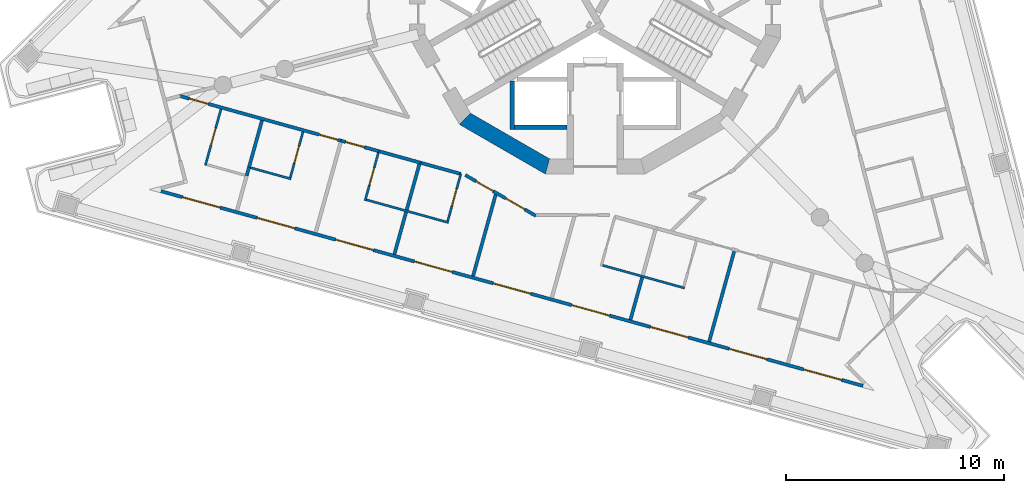
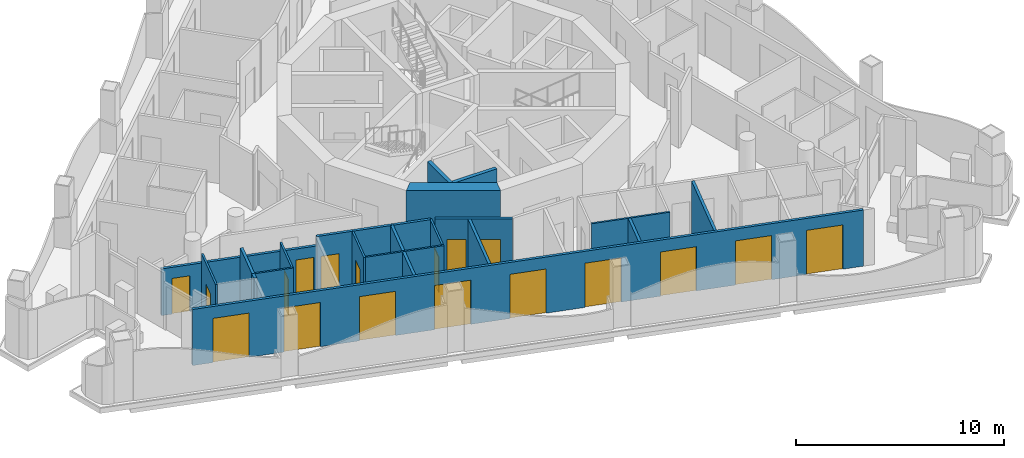
# One storey, part 2 of 15: 23 walls, 18 doors, 18 openings.
"""IFC4 building model written with IfcOpenShell, lengths in metres."""

from ifc_helpers import new_model, si_unit, direction, frame, frame_2d, origin, place, context, subcontext, project, spatial, polyline, rectangle, outline, extrude, material, layer, layer_set, type_object, element, fill, save


model = new_model("IFC4")

# Units and contexts
model_context = context("Model", 3, precision=1e-05, world=origin(), true_north=direction((0.0, 1.0)))
body_context = subcontext(model_context, "Body", "Model", "MODEL_VIEW")
ifc_project = project(units=[si_unit("LENGTHUNIT", "METRE"), si_unit("AREAUNIT", "SQUARE_METRE"), si_unit("VOLUMEUNIT", "CUBIC_METRE"), si_unit("PLANEANGLEUNIT", "RADIAN"), si_unit("MASSUNIT", "GRAM", prefix="KILO")], contexts=[model_context])

# Site, building, storey
site_placement = place(None, origin())
site = spatial("IfcSite", under=ifc_project, at=site_placement, CompositionType="ELEMENT")
building_placement = place(site_placement, origin())
building = spatial("IfcBuilding", under=site, at=building_placement, Name="Trine Commons Tower", CompositionType="ELEMENT")
storey_placement = place(building_placement, frame((0.0, 0.0, 256.5)))
storey = spatial("IfcBuildingStorey", under=building, at=storey_placement, Name="L67", CompositionType="ELEMENT", Elevation=256.5)

# Wall, openings, doors
ifc_material_1 = material(Name="Aluminium-framed insulated wall panel", Category="aluminium")
ifc_layer_1 = layer(ifc_material_1, 0.14990234375)
ifc_layer_set_1 = layer_set([ifc_layer_1], Name="Aluminium-framed insulated wall panel")
wall_type_1 = type_object("IfcWallType", Name="Glazed frame wall 150, EI 60", PredefinedType="SOLIDWALL", material=ifc_layer_set_1)
wall_1_placement = place(storey_placement, frame((92.4189453125, 44.2548828125, 0.0), z_axis=(0.0, 0.0, 1.0), x_axis=(-0.963630586427, 0.267237895708, 0.0)))
wall_1 = element("IfcWall", 1, at=wall_1_placement, inside=storey, type_object=wall_type_1, Name="Glazed frame wall F3", PredefinedType="SOLIDWALL", context=body_context, shape_type="SweptSolid", body=[
    extrude(outline(polyline([(0.1494140625, 0.074951171875), (0.1494140625, -0.074951171875), (33.536865234375, -0.074951171875), (33.536865234375, 0.074951171875), (0.1494140625, 0.074951171875)])), origin(), (0.0, 0.0, 1.0), 3.300048828125),
])
opening_1_placement = place(wall_1_placement, frame((1.17138671875, 0.0, 0.0)))
opening_1 = element("IfcOpeningElement", 2, at=opening_1_placement, cuts=wall_1, Name="Opening BD-7F3-01", PredefinedType="OPENING", context=body_context, shape_type="SweptSolid", body=[
    extrude(rectangle(XDim=1.800048828125, YDim=2.60009765625, at=frame_2d((0.89990234375, 1.300048828125))), frame((0.0, 0.0849609375, 0.0), z_axis=(0.0, -1.0, 0.0), x_axis=(1.0, 0.0, 0.0)), (0.0, 0.0, 1.0), 0.169921875),
])
opening_2_placement = place(wall_1_placement, frame((4.71435546875, 0.0, 0.0)))
opening_2 = element("IfcOpeningElement", 3, at=opening_2_placement, cuts=wall_1, Name="Opening BD-7F3-02", PredefinedType="OPENING", context=body_context, shape_type="SweptSolid", body=[
    extrude(rectangle(XDim=1.800048828125, YDim=2.60009765625, at=frame_2d((0.89990234375, 1.300048828125))), frame((0.0, 0.0849609375, 0.0), z_axis=(0.0, -1.0, 0.0), x_axis=(1.0, 0.0, 0.0)), (0.0, 0.0, 1.0), 0.169921875),
])
opening_3_placement = place(wall_1_placement, frame((8.457275390625, 0.0, 0.0)))
opening_3 = element("IfcOpeningElement", 4, at=opening_3_placement, cuts=wall_1, Name="Opening BD-7F3-03", PredefinedType="OPENING", context=body_context, shape_type="SweptSolid", body=[
    extrude(rectangle(XDim=1.800048828125, YDim=2.60009765625, at=frame_2d((0.89990234375, 1.300048828125))), frame((0.0, 0.0849609375, 0.0), z_axis=(0.0, -1.0, 0.0), x_axis=(1.0, 0.0, 0.0)), (0.0, 0.0, 1.0), 0.169921875),
])
opening_4_placement = place(wall_1_placement, frame((12.2001953125, 0.0, 0.0)))
opening_4 = element("IfcOpeningElement", 5, at=opening_4_placement, cuts=wall_1, Name="Opening BD-7F3-04", PredefinedType="OPENING", context=body_context, shape_type="SweptSolid", body=[
    extrude(rectangle(XDim=1.800048828125, YDim=2.60009765625, at=frame_2d((0.89990234375, 1.300048828125))), frame((0.0, 0.0849609375, 0.0), z_axis=(0.0, -1.0, 0.0), x_axis=(1.0, 0.0, 0.0)), (0.0, 0.0, 1.0), 0.169921875),
])
opening_5_placement = place(wall_1_placement, frame((15.943115234375, 0.0, 0.0)))
opening_5 = element("IfcOpeningElement", 6, at=opening_5_placement, cuts=wall_1, Name="Opening BD-7F3-05", PredefinedType="OPENING", context=body_context, shape_type="SweptSolid", body=[
    extrude(rectangle(XDim=1.800048828125, YDim=2.60009765625, at=frame_2d((0.89990234375, 1.300048828125))), frame((0.0, 0.0849609375, 0.0), z_axis=(0.0, -1.0, 0.0), x_axis=(1.0, 0.0, 0.0)), (0.0, 0.0, 1.0), 0.169921875),
])
opening_6_placement = place(wall_1_placement, frame((19.68603515625, 0.0, 0.0)))
opening_6 = element("IfcOpeningElement", 7, at=opening_6_placement, cuts=wall_1, Name="Opening BD-7F3-06", PredefinedType="OPENING", context=body_context, shape_type="SweptSolid", body=[
    extrude(rectangle(XDim=1.800048828125, YDim=2.60009765625, at=frame_2d((0.89990234375, 1.300048828125))), frame((0.0, 0.0849609375, 0.0), z_axis=(0.0, -1.0, 0.0), x_axis=(1.0, 0.0, 0.0)), (0.0, 0.0, 1.0), 0.169921875),
])
opening_7_placement = place(wall_1_placement, frame((23.428955078125, 0.0, 0.0)))
opening_7 = element("IfcOpeningElement", 8, at=opening_7_placement, cuts=wall_1, Name="Opening BD-7F3-07", PredefinedType="OPENING", context=body_context, shape_type="SweptSolid", body=[
    extrude(rectangle(XDim=1.800048828125, YDim=2.60009765625, at=frame_2d((0.89990234375, 1.300048828125))), frame((0.0, 0.0849609375, 0.0), z_axis=(0.0, -1.0, 0.0), x_axis=(1.0, 0.0, 0.0)), (0.0, 0.0, 1.0), 0.169921875),
])
opening_8_placement = place(wall_1_placement, frame((27.171875, 0.0, 0.0)))
opening_8 = element("IfcOpeningElement", 9, at=opening_8_placement, cuts=wall_1, Name="Opening BD-7F3-08", PredefinedType="OPENING", context=body_context, shape_type="SweptSolid", body=[
    extrude(rectangle(XDim=1.800048828125, YDim=2.60009765625, at=frame_2d((0.89990234375, 1.300048828125))), frame((0.0, 0.0849609375, 0.0), z_axis=(0.0, -1.0, 0.0), x_axis=(1.0, 0.0, 0.0)), (0.0, 0.0, 1.0), 0.169921875),
])
opening_9_placement = place(wall_1_placement, frame((30.714599609375, 0.0, 0.0)))
opening_9 = element("IfcOpeningElement", 10, at=opening_9_placement, cuts=wall_1, Name="Opening BD-7F3-09", PredefinedType="OPENING", context=body_context, shape_type="SweptSolid", body=[
    extrude(rectangle(XDim=1.800048828125, YDim=2.60009765625, at=frame_2d((0.89990234375, 1.300048828125))), frame((0.0, 0.0849609375, 0.0), z_axis=(0.0, -1.0, 0.0), x_axis=(1.0, 0.0, 0.0)), (0.0, 0.0, 1.0), 0.169921875),
])
ifc_material_2 = material(Name="Anodised aluminium frame with double glazing", Category="aluminium")
door_type_1 = type_object("IfcDoorType", Name="Sliding loggia door 1800x2600", OperationType="SLIDING_TO_LEFT", PredefinedType="DOOR", material=ifc_material_2)
door_1_placement = place(opening_1_placement, origin())
door_1 = element("IfcDoor", 11, at=door_1_placement, inside=storey, type_object=door_type_1, Name="Loggia door F3 1", OperationType="SLIDING_TO_LEFT", OverallHeight=2.60009765625, OverallWidth=1.800048828125, PredefinedType="DOOR", context=body_context, shape_type="SweptSolid", body=[
    extrude(rectangle(XDim=1.800048828125, YDim=2.60009765625, at=frame_2d((0.89990234375, 1.300048828125))), frame((0.0, 0.02490234375, 0.0), z_axis=(0.0, -1.0, 0.0), x_axis=(1.0, 0.0, 0.0)), (0.0, 0.0, 1.0), 0.050048828125),
])
fill(opening_1, door_1)
door_2_placement = place(opening_2_placement, origin())
door_2 = element("IfcDoor", 12, at=door_2_placement, inside=storey, type_object=door_type_1, Name="Loggia door F3 2", OperationType="SLIDING_TO_LEFT", OverallHeight=2.60009765625, OverallWidth=1.800048828125, PredefinedType="DOOR", context=body_context, shape_type="SweptSolid", body=[
    extrude(rectangle(XDim=1.800048828125, YDim=2.60009765625, at=frame_2d((0.89990234375, 1.300048828125))), frame((0.0, 0.02490234375, 0.0), z_axis=(0.0, -1.0, 0.0), x_axis=(1.0, 0.0, 0.0)), (0.0, 0.0, 1.0), 0.050048828125),
])
fill(opening_2, door_2)
door_3_placement = place(opening_3_placement, origin())
door_3 = element("IfcDoor", 13, at=door_3_placement, inside=storey, type_object=door_type_1, Name="Loggia door F3 3", OperationType="SLIDING_TO_LEFT", OverallHeight=2.60009765625, OverallWidth=1.800048828125, PredefinedType="DOOR", context=body_context, shape_type="SweptSolid", body=[
    extrude(rectangle(XDim=1.800048828125, YDim=2.60009765625, at=frame_2d((0.89990234375, 1.300048828125))), frame((0.0, 0.02490234375, 0.0), z_axis=(0.0, -1.0, 0.0), x_axis=(1.0, 0.0, 0.0)), (0.0, 0.0, 1.0), 0.050048828125),
])
fill(opening_3, door_3)
door_4_placement = place(opening_4_placement, origin())
door_4 = element("IfcDoor", 14, at=door_4_placement, inside=storey, type_object=door_type_1, Name="Loggia door F3 4", OperationType="SLIDING_TO_LEFT", OverallHeight=2.60009765625, OverallWidth=1.800048828125, PredefinedType="DOOR", context=body_context, shape_type="SweptSolid", body=[
    extrude(rectangle(XDim=1.800048828125, YDim=2.60009765625, at=frame_2d((0.89990234375, 1.300048828125))), frame((0.0, 0.02490234375, 0.0), z_axis=(0.0, -1.0, 0.0), x_axis=(1.0, 0.0, 0.0)), (0.0, 0.0, 1.0), 0.050048828125),
])
fill(opening_4, door_4)
door_5_placement = place(opening_5_placement, origin())
door_5 = element("IfcDoor", 15, at=door_5_placement, inside=storey, type_object=door_type_1, Name="Loggia door F3 5", OperationType="SLIDING_TO_LEFT", OverallHeight=2.60009765625, OverallWidth=1.800048828125, PredefinedType="DOOR", context=body_context, shape_type="SweptSolid", body=[
    extrude(rectangle(XDim=1.800048828125, YDim=2.60009765625, at=frame_2d((0.89990234375, 1.300048828125))), frame((0.0, 0.02490234375, 0.0), z_axis=(0.0, -1.0, 0.0), x_axis=(1.0, 0.0, 0.0)), (0.0, 0.0, 1.0), 0.050048828125),
])
fill(opening_5, door_5)
door_6_placement = place(opening_6_placement, origin())
door_6 = element("IfcDoor", 16, at=door_6_placement, inside=storey, type_object=door_type_1, Name="Loggia door F3 6", OperationType="SLIDING_TO_LEFT", OverallHeight=2.60009765625, OverallWidth=1.800048828125, PredefinedType="DOOR", context=body_context, shape_type="SweptSolid", body=[
    extrude(rectangle(XDim=1.800048828125, YDim=2.60009765625, at=frame_2d((0.89990234375, 1.300048828125))), frame((0.0, 0.02490234375, 0.0), z_axis=(0.0, -1.0, 0.0), x_axis=(1.0, 0.0, 0.0)), (0.0, 0.0, 1.0), 0.050048828125),
])
fill(opening_6, door_6)
door_7_placement = place(opening_7_placement, origin())
door_7 = element("IfcDoor", 17, at=door_7_placement, inside=storey, type_object=door_type_1, Name="Loggia door F3 7", OperationType="SLIDING_TO_LEFT", OverallHeight=2.60009765625, OverallWidth=1.800048828125, PredefinedType="DOOR", context=body_context, shape_type="SweptSolid", body=[
    extrude(rectangle(XDim=1.800048828125, YDim=2.60009765625, at=frame_2d((0.89990234375, 1.300048828125))), frame((0.0, 0.02490234375, 0.0), z_axis=(0.0, -1.0, 0.0), x_axis=(1.0, 0.0, 0.0)), (0.0, 0.0, 1.0), 0.050048828125),
])
fill(opening_7, door_7)
door_8_placement = place(opening_8_placement, origin())
door_8 = element("IfcDoor", 18, at=door_8_placement, inside=storey, type_object=door_type_1, Name="Loggia door F3 8", OperationType="SLIDING_TO_LEFT", OverallHeight=2.60009765625, OverallWidth=1.800048828125, PredefinedType="DOOR", context=body_context, shape_type="SweptSolid", body=[
    extrude(rectangle(XDim=1.800048828125, YDim=2.60009765625, at=frame_2d((0.89990234375, 1.300048828125))), frame((0.0, 0.02490234375, 0.0), z_axis=(0.0, -1.0, 0.0), x_axis=(1.0, 0.0, 0.0)), (0.0, 0.0, 1.0), 0.050048828125),
])
fill(opening_8, door_8)
door_9_placement = place(opening_9_placement, origin())
door_9 = element("IfcDoor", 19, at=door_9_placement, inside=storey, type_object=door_type_1, Name="Loggia door F3 9", OperationType="SLIDING_TO_LEFT", OverallHeight=2.60009765625, OverallWidth=1.800048828125, PredefinedType="DOOR", context=body_context, shape_type="SweptSolid", body=[
    extrude(rectangle(XDim=1.800048828125, YDim=2.60009765625, at=frame_2d((0.89990234375, 1.300048828125))), frame((0.0, 0.02490234375, 0.0), z_axis=(0.0, -1.0, 0.0), x_axis=(1.0, 0.0, 0.0)), (0.0, 0.0, 1.0), 0.050048828125),
])
fill(opening_9, door_9)

# Walls
ifc_material_3 = material(Name="Concrete C50/60", Category="concrete")
ifc_layer_2 = layer(ifc_material_3, 0.699951171875)
ifc_layer_set_2 = layer_set([ifc_layer_2], Name="Concrete C50/60")
wall_type_2 = type_object("IfcWallType", Name="RC shear wall 700 mm, C50/60", PredefinedType="SHEAR", material=ifc_layer_set_2)
wall_2_placement = place(storey_placement, frame((73.952392578125, 56.58056640625, 0.0), z_axis=(0.0, 0.0, 1.0), x_axis=(0.866034756103, -0.499983800959, 0.0)))
element("IfcWall", 20, at=wall_2_placement, inside=storey, type_object=wall_type_2, Name="Core wall CWG-09 L67", PredefinedType="SHEAR", context=body_context, shape_type="SweptSolid", body=[
    extrude(outline(polyline([(0.0, -0.35009765625), (4.55517578125, -0.35009765625), (4.36767578125, 0.35009765625), (0.1875, 0.35009765625), (0.0, -0.35009765625)])), origin(), (0.0, 0.0, 1.0), 3.60009765625),
])
ifc_material_4 = material(Name="Fire-rated gypsum shaft wall system")
ifc_layer_3 = layer(ifc_material_4, 0.199951171875)
ifc_layer_set_3 = layer_set([ifc_layer_3], Name="Fire-rated gypsum shaft wall system")
wall_type_3 = type_object("IfcWallType", Name="Shaft wall 200 mm, EI 120", PredefinedType="PARTITIONING", material=ifc_layer_set_3)
wall_3_placement = place(storey_placement, frame((76.199951171875, 58.257080078125, 0.0), z_axis=(0.0, 0.0, 1.0), x_axis=(0.0, -1.0, 0.0)))
element("IfcWall", 21, at=wall_3_placement, inside=storey, type_object=wall_type_3, Name="Shaft wall L67", PredefinedType="PARTITIONING", context=body_context, shape_type="SweptSolid", body=[
    extrude(rectangle(XDim=2.20703125, YDim=0.199951171875, at=frame_2d((1.103515625, 0.0))), origin(), (0.0, 0.0, 1.0), 3.300048828125),
])
wall_4_placement = place(storey_placement, frame((78.699951171875, 56.14990234375, 0.0), z_axis=(0.0, 0.0, 1.0), x_axis=(-1.0, 0.0, 0.0)))
element("IfcWall", 22, at=wall_4_placement, inside=storey, type_object=wall_type_3, Name="Shaft wall L67", PredefinedType="PARTITIONING", context=body_context, shape_type="SweptSolid", body=[
    extrude(rectangle(XDim=2.39990234375, YDim=0.199951171875, at=frame_2d((1.199951171875, 0.0))), origin(), (0.0, 0.0, 1.0), 3.300048828125),
])

# Wall, openings, doors
ifc_material_5 = material(Name="Gypsum plasterboard on steel stud", Category="steel")
ifc_layer_4 = layer(ifc_material_5, 0.14990234375)
ifc_layer_set_4 = layer_set([ifc_layer_4], Name="Gypsum plasterboard on steel stud")
wall_type_4 = type_object("IfcWallType", Name="Unit and corridor wall 150 mm, EI 60", PredefinedType="PARTITIONING", material=ifc_layer_set_4)
wall_5_placement = place(storey_placement, frame((60.898681640625, 57.59912109375, 0.0), z_axis=(0.0, 0.0, 1.0), x_axis=(0.963644845576, -0.267186473449, 0.0)))
wall_5 = element("IfcWall", 23, at=wall_5_placement, inside=storey, type_object=wall_type_4, Name="Partition 003", PredefinedType="PARTITIONING", context=body_context, shape_type="SweptSolid", body=[
    extrude(rectangle(XDim=7.81884765625, YDim=0.14990234375, at=frame_2d((3.909423828125, 0.0))), origin(), (0.0, 0.0, 1.0), 2.75),
])
opening_10_placement = place(wall_5_placement, frame((6.68994140625, 0.0, 0.0)))
opening_10 = element("IfcOpeningElement", 24, at=opening_10_placement, cuts=wall_5, Name="Opening D-7C25", PredefinedType="OPENING", context=body_context, shape_type="SweptSolid", body=[
    extrude(rectangle(XDim=0.89990234375, YDim=2.10009765625, at=frame_2d((0.449951171875, 1.050048828125))), frame((0.0, 0.0849609375, 0.0), z_axis=(0.0, -1.0, 0.0), x_axis=(1.0, 0.0, 0.0)), (0.0, 0.0, 1.0), 0.169921875),
])
opening_11_placement = place(wall_5_placement, frame((0.52294921875, 0.0, 0.0)))
opening_11 = element("IfcOpeningElement", 25, at=opening_11_placement, cuts=wall_5, Name="Opening D-7C26", PredefinedType="OPENING", context=body_context, shape_type="SweptSolid", body=[
    extrude(rectangle(XDim=0.89990234375, YDim=2.10009765625, at=frame_2d((0.449951171875, 1.050048828125))), frame((0.0, 0.0849609375, 0.0), z_axis=(0.0, -1.0, 0.0), x_axis=(1.0, 0.0, 0.0)), (0.0, 0.0, 1.0), 0.169921875),
])
ifc_material_6 = material(Name="Timber fire door set", Category="wood")
door_type_2 = type_object("IfcDoorType", Name="Bedroom door 900 x 2100, FD30S", OperationType="NOTDEFINED", PredefinedType="DOOR", material=ifc_material_6)
door_10_placement = place(opening_10_placement, frame((0.89990234375, 0.0, 0.0), z_axis=(0.0, 0.0, 1.0), x_axis=(-1.0, 0.0, 0.0)))
door_10 = element("IfcDoor", 26, at=door_10_placement, inside=storey, type_object=door_type_2, Name="Door D-7C25", OperationType="SINGLE_SWING_LEFT", OverallHeight=2.10009765625, OverallWidth=0.89990234375, PredefinedType="DOOR", context=body_context, shape_type="SweptSolid", body=[
    extrude(rectangle(XDim=0.89990234375, YDim=2.10009765625, at=frame_2d((0.449951171875, 1.050048828125))), frame((0.0, 0.02490234375, 0.0), z_axis=(0.0, -1.0, 0.0), x_axis=(1.0, 0.0, 0.0)), (0.0, 0.0, 1.0), 0.050048828125),
])
fill(opening_10, door_10)
door_11_placement = place(opening_11_placement, frame((0.89990234375, 0.0, 0.0), z_axis=(0.0, 0.0, 1.0), x_axis=(-1.0, 0.0, 0.0)))
door_11 = element("IfcDoor", 27, at=door_11_placement, inside=storey, type_object=door_type_2, Name="Door D-7C26", OperationType="SINGLE_SWING_RIGHT", OverallHeight=2.10009765625, OverallWidth=0.89990234375, PredefinedType="DOOR", context=body_context, shape_type="SweptSolid", body=[
    extrude(rectangle(XDim=0.89990234375, YDim=2.10009765625, at=frame_2d((0.449951171875, 1.050048828125))), frame((0.0, 0.02490234375, 0.0), z_axis=(0.0, -1.0, 0.0), x_axis=(1.0, 0.0, 0.0)), (0.0, 0.0, 1.0), 0.050048828125),
])
fill(opening_11, door_11)

# Walls
wall_6_placement = place(storey_placement, frame((64.027099609375, 53.925048828125, 0.0), z_axis=(0.0, 0.0, 1.0), x_axis=(0.267363070761, 0.963595863624, 0.0)))
element("IfcWall", 28, at=wall_6_placement, inside=storey, type_object=wall_type_4, Name="Partition 012", PredefinedType="PARTITIONING", context=body_context, shape_type="SweptSolid", body=[
    extrude(rectangle(XDim=0.403564453125, YDim=0.14990234375, at=frame_2d((0.20166015625, 0.0))), origin(), (0.0, 0.0, 1.0), 3.300048828125),
])
wall_7_placement = place(storey_placement, frame((64.135009765625, 54.31396484375, 0.0), z_axis=(0.0, 0.0, 1.0), x_axis=(0.267310068827, 0.963610568178, 0.0)))
element("IfcWall", 29, at=wall_7_placement, inside=storey, type_object=wall_type_4, Name="Partition 013", PredefinedType="PARTITIONING", context=body_context, shape_type="SweptSolid", body=[
    extrude(rectangle(XDim=2.225830078125, YDim=0.14990234375, at=frame_2d((1.11279296875, 0.0))), origin(), (0.0, 0.0, 1.0), 3.300048828125),
])

# Wall, opening, door
wall_8_placement = place(storey_placement, frame((68.35302734375, 55.531005859375, 0.0), z_axis=(0.0, 0.0, 1.0), x_axis=(0.963793322965, -0.266650390226, 0.0)))
wall_8 = element("IfcWall", 30, at=wall_8_placement, inside=storey, type_object=wall_type_4, Name="Partition 021", PredefinedType="PARTITIONING", context=body_context, shape_type="SweptSolid", body=[
    extrude(rectangle(XDim=1.800048828125, YDim=0.14990234375, at=frame_2d((0.89990234375, 0.0))), origin(), (0.0, 0.0, 1.0), 3.300048828125),
])
opening_12_placement = place(wall_8_placement, frame((0.21337890625, 0.0, 0.0)))
opening_12 = element("IfcOpeningElement", 31, at=opening_12_placement, cuts=wall_8, Name="Opening D-7C24", PredefinedType="OPENING", context=body_context, shape_type="SweptSolid", body=[
    extrude(rectangle(XDim=0.89990234375, YDim=2.10009765625, at=frame_2d((0.449951171875, 1.050048828125))), frame((0.0, 0.0849609375, 0.0), z_axis=(0.0, -1.0, 0.0), x_axis=(1.0, 0.0, 0.0)), (0.0, 0.0, 1.0), 0.169921875),
])
door_12_placement = place(opening_12_placement, frame((0.89990234375, 0.0, 0.0), z_axis=(0.0, 0.0, 1.0), x_axis=(-1.0, 0.0, 0.0)))
door_12 = element("IfcDoor", 32, at=door_12_placement, inside=storey, type_object=door_type_2, Name="Door D-7C24", OperationType="SINGLE_SWING_RIGHT", OverallHeight=2.10009765625, OverallWidth=0.89990234375, PredefinedType="DOOR", context=body_context, shape_type="SweptSolid", body=[
    extrude(rectangle(XDim=0.89990234375, YDim=2.10009765625, at=frame_2d((0.449951171875, 1.050048828125))), frame((0.0, 0.02490234375, 0.0), z_axis=(0.0, -1.0, 0.0), x_axis=(1.0, 0.0, 0.0)), (0.0, 0.0, 1.0), 0.050048828125),
])
fill(opening_12, door_12)

# Walls
wall_9_placement = place(storey_placement, frame((70.03173828125, 55.065185546875, 0.0), z_axis=(0.0, 0.0, 1.0), x_axis=(0.963738676237, -0.266847829154, 0.0)))
element("IfcWall", 33, at=wall_9_placement, inside=storey, type_object=wall_type_4, Name="Partition 034", PredefinedType="PARTITIONING", context=body_context, shape_type="SweptSolid", body=[
    extrude(rectangle(XDim=2.009033203125, YDim=0.14990234375, at=frame_2d((1.00439453125, 0.0))), origin(), (0.0, 0.0, 1.0), 3.300048828125),
])
wall_10_placement = place(storey_placement, frame((70.798583984375, 50.32861328125, 0.0), z_axis=(0.0, 0.0, 1.0), x_axis=(0.267174067725, 0.963648285182, 0.0)))
element("IfcWall", 34, at=wall_10_placement, inside=storey, type_object=wall_type_4, Name="Partition 036", PredefinedType="PARTITIONING", context=body_context, shape_type="SweptSolid", body=[
    extrude(rectangle(XDim=2.01025390625, YDim=0.14990234375, at=frame_2d((1.005126953125, 0.0))), origin(), (0.0, 0.0, 1.0), 3.300048828125),
])
wall_11_placement = place(storey_placement, frame((71.3623046875, 52.3623046875, 0.0), z_axis=(0.0, 0.0, 1.0), x_axis=(0.267486781111, 0.963561529914, 0.0)))
element("IfcWall", 35, at=wall_11_placement, inside=storey, type_object=wall_type_4, Name="Partition 038", PredefinedType="PARTITIONING", context=body_context, shape_type="SweptSolid", body=[
    extrude(rectangle(XDim=2.32470703125, YDim=0.14990234375, at=frame_2d((1.162353515625, 0.0))), origin(), (0.0, 0.0, 1.0), 3.300048828125),
])
wall_12_placement = place(storey_placement, frame((72.0322265625, 54.510986328125, 0.0), z_axis=(0.0, 0.0, 1.0), x_axis=(0.963675623127, -0.267075445129, 0.0)))
element("IfcWall", 36, at=wall_12_placement, inside=storey, type_object=wall_type_4, Name="Partition 041", PredefinedType="PARTITIONING", context=body_context, shape_type="SweptSolid", body=[
    extrude(rectangle(XDim=1.883056640625, YDim=0.14990234375, at=frame_2d((0.94140625, 0.0))), origin(), (0.0, 0.0, 1.0), 3.300048828125),
])

# Wall, openings, doors
wall_13_placement = place(storey_placement, frame((74.049072265625, 53.9560546875, 0.0), z_axis=(0.0, 0.0, 1.0), x_axis=(0.865974487503, -0.500088179218, 0.0)))
wall_13 = element("IfcWall", 37, at=wall_13_placement, inside=storey, type_object=wall_type_4, Name="Partition 045", PredefinedType="PARTITIONING", context=body_context, shape_type="SweptSolid", body=[
    extrude(rectangle(XDim=3.736572265625, YDim=0.14990234375, at=frame_2d((1.8681640625, 0.0))), origin(), (0.0, 0.0, 1.0), 3.300048828125),
])
opening_13_placement = place(wall_13_placement, frame((2.146728515625, 0.0, 0.0)))
opening_13 = element("IfcOpeningElement", 38, at=opening_13_placement, cuts=wall_13, Name="Opening D-7C22", PredefinedType="OPENING", context=body_context, shape_type="SweptSolid", body=[
    extrude(rectangle(XDim=1.0, YDim=2.10009765625, at=frame_2d((0.5, 1.050048828125))), frame((0.0, 0.0849609375, 0.0), z_axis=(0.0, -1.0, 0.0), x_axis=(1.0, 0.0, 0.0)), (0.0, 0.0, 1.0), 0.169921875),
])
opening_14_placement = place(wall_13_placement, frame((0.581787109375, 0.0, 0.0)))
opening_14 = element("IfcOpeningElement", 39, at=opening_14_placement, cuts=wall_13, Name="Opening D-7C23", PredefinedType="OPENING", context=body_context, shape_type="SweptSolid", body=[
    extrude(rectangle(XDim=0.89990234375, YDim=2.10009765625, at=frame_2d((0.449951171875, 1.050048828125))), frame((0.0, 0.0849609375, 0.0), z_axis=(0.0, -1.0, 0.0), x_axis=(1.0, 0.0, 0.0)), (0.0, 0.0, 1.0), 0.169921875),
])
door_13_placement = place(opening_14_placement, frame((0.89990234375, 0.0, 0.0), z_axis=(0.0, 0.0, 1.0), x_axis=(-1.0, 0.0, 0.0)))
door_13 = element("IfcDoor", 40, at=door_13_placement, inside=storey, type_object=door_type_2, Name="Door D-7C23", OperationType="SINGLE_SWING_RIGHT", OverallHeight=2.10009765625, OverallWidth=0.89990234375, PredefinedType="DOOR", context=body_context, shape_type="SweptSolid", body=[
    extrude(rectangle(XDim=0.89990234375, YDim=2.10009765625, at=frame_2d((0.449951171875, 1.050048828125))), frame((0.0, 0.02490234375, 0.0), z_axis=(0.0, -1.0, 0.0), x_axis=(1.0, 0.0, 0.0)), (0.0, 0.0, 1.0), 0.050048828125),
])
fill(opening_14, door_13)
ifc_material_7 = material(Name="Painted timber", Category="wood")
door_type_3 = type_object("IfcDoorType", Name="Toilet door 1000 x 2100, NOT RATED", OperationType="NOTDEFINED", PredefinedType="DOOR", material=ifc_material_7)
door_14_placement = place(opening_13_placement, frame((1.0, 0.0, 0.0), z_axis=(0.0, 0.0, 1.0), x_axis=(-1.0, 0.0, 0.0)))
door_14 = element("IfcDoor", 41, at=door_14_placement, inside=storey, type_object=door_type_3, Name="Door D-7C22", OperationType="SINGLE_SWING_LEFT", OverallHeight=2.10009765625, OverallWidth=1.0, PredefinedType="DOOR", context=body_context, shape_type="SweptSolid", body=[
    extrude(rectangle(XDim=1.0, YDim=2.10009765625, at=frame_2d((0.5, 1.050048828125))), frame((0.0, 0.02490234375, 0.0), z_axis=(0.0, -1.0, 0.0), x_axis=(1.0, 0.0, 0.0)), (0.0, 0.0, 1.0), 0.050048828125),
])
fill(opening_13, door_14)

# Walls
wall_14_placement = place(storey_placement, frame((74.40478515625, 49.32861328125, 0.0), z_axis=(0.0, 0.0, 1.0), x_axis=(0.2672836333, 0.963617901126, 0.0)))
element("IfcWall", 42, at=wall_14_placement, inside=storey, type_object=wall_type_4, Name="Partition 047", PredefinedType="PARTITIONING", context=body_context, shape_type="SweptSolid", body=[
    extrude(rectangle(XDim=3.880126953125, YDim=0.14990234375, at=frame_2d((1.93994140625, 0.0))), origin(), (0.0, 0.0, 1.0), 3.300048828125),
])
wall_15_placement = place(storey_placement, frame((81.61865234375, 47.327392578125, 0.0), z_axis=(0.0, 0.0, 1.0), x_axis=(0.267030036117, 0.963688206741, 0.0)))
element("IfcWall", 43, at=wall_15_placement, inside=storey, type_object=wall_type_4, Name="Partition 062", PredefinedType="PARTITIONING", context=body_context, shape_type="SweptSolid", body=[
    extrude(rectangle(XDim=2.010498046875, YDim=0.14990234375, at=frame_2d((1.00537109375, 0.0))), origin(), (0.0, 0.0, 1.0), 3.300048828125),
])
wall_16_placement = place(storey_placement, frame((85.2255859375, 46.327392578125, 0.0), z_axis=(0.0, 0.0, 1.0), x_axis=(0.267308876537, 0.963610898924, 0.0)))
element("IfcWall", 44, at=wall_16_placement, inside=storey, type_object=wall_type_4, Name="Partition 077", PredefinedType="PARTITIONING", context=body_context, shape_type="SweptSolid", body=[
    extrude(rectangle(XDim=4.285400390625, YDim=0.14990234375, at=frame_2d((2.142578125, 0.0))), origin(), (0.0, 0.0, 1.0), 3.300048828125),
])

# Wall, opening, door
ifc_layer_5 = layer(ifc_material_5, 0.10009765625)
ifc_layer_set_5 = layer_set([ifc_layer_5], Name="Gypsum plasterboard on steel stud")
wall_type_5 = type_object("IfcWallType", Name="Unit partition 100 mm, no rating", PredefinedType="PARTITIONING", material=ifc_layer_set_5)
wall_17_placement = place(storey_placement, frame((62.135498046875, 54.40185546875, 0.0), z_axis=(0.0, 0.0, 1.0), x_axis=(0.267384985652, 0.963589782764, 0.0)))
wall_17 = element("IfcWall", 45, at=wall_17_placement, inside=storey, type_object=wall_type_5, Name="Partition 005", PredefinedType="PARTITIONING", context=body_context, shape_type="SweptSolid", body=[
    extrude(rectangle(XDim=2.67529296875, YDim=0.10009765625, at=frame_2d((1.337646484375, 0.0))), origin(), (0.0, 0.0, 1.0), 3.300048828125),
])
opening_15_placement = place(wall_17_placement, frame((0.962646484375, 0.0, 0.0)))
opening_15 = element("IfcOpeningElement", 46, at=opening_15_placement, cuts=wall_17, Name="Opening D-7C46", PredefinedType="OPENING", context=body_context, shape_type="SweptSolid", body=[
    extrude(rectangle(XDim=0.800048828125, YDim=2.10009765625, at=frame_2d((0.39990234375, 1.050048828125))), frame((0.0, 0.06005859375, 0.0), z_axis=(0.0, -1.0, 0.0), x_axis=(1.0, 0.0, 0.0)), (0.0, 0.0, 1.0), 0.1201171875),
])
door_type_4 = type_object("IfcDoorType", Name="Internal door 800 x 2100, NOT RATED", OperationType="NOTDEFINED", PredefinedType="DOOR", material=ifc_material_7)
door_15_placement = place(opening_15_placement, origin())
door_15 = element("IfcDoor", 47, at=door_15_placement, inside=storey, type_object=door_type_4, Name="Door D-7C46", OperationType="SINGLE_SWING_RIGHT", OverallHeight=2.10009765625, OverallWidth=0.800048828125, PredefinedType="DOOR", context=body_context, shape_type="SweptSolid", body=[
    extrude(rectangle(XDim=0.800048828125, YDim=2.10009765625, at=frame_2d((0.39990234375, 1.050048828125))), frame((0.0, 0.02490234375, 0.0), z_axis=(0.0, -1.0, 0.0), x_axis=(1.0, 0.0, 0.0)), (0.0, 0.0, 1.0), 0.050048828125),
])
fill(opening_15, door_15)

# Wall
wall_18_placement = place(storey_placement, frame((64.207275390625, 54.2939453125, 0.0), z_axis=(0.0, 0.0, 1.0), x_axis=(0.963634107358, -0.26722519929, 0.0)))
element("IfcWall", 48, at=wall_18_placement, inside=storey, type_object=wall_type_5, Name="Partition 014", PredefinedType="PARTITIONING", context=body_context, shape_type="SweptSolid", body=[
    extrude(rectangle(XDim=1.925048828125, YDim=0.10009765625, at=frame_2d((0.96240234375, 0.0))), origin(), (0.0, 0.0, 1.0), 3.300048828125),
])

# Wall, opening, door
wall_19_placement = place(storey_placement, frame((66.02734375, 53.84130859375, 0.0), z_axis=(0.0, 0.0, 1.0), x_axis=(0.26741803736, 0.963580610688, 0.0)))
wall_19 = element("IfcWall", 49, at=wall_19_placement, inside=storey, type_object=wall_type_5, Name="Partition 017", PredefinedType="PARTITIONING", context=body_context, shape_type="SweptSolid", body=[
    extrude(rectangle(XDim=2.174560546875, YDim=0.10009765625, at=frame_2d((1.08740234375, 0.0))), origin(), (0.0, 0.0, 1.0), 3.300048828125),
])
opening_16_placement = place(wall_19_placement, frame((0.6875, 0.0, 0.0)))
opening_16 = element("IfcOpeningElement", 50, at=opening_16_placement, cuts=wall_19, Name="Opening D-7C45", PredefinedType="OPENING", context=body_context, shape_type="SweptSolid", body=[
    extrude(rectangle(XDim=0.800048828125, YDim=2.10009765625, at=frame_2d((0.39990234375, 1.050048828125))), frame((0.0, 0.06005859375, 0.0), z_axis=(0.0, -1.0, 0.0), x_axis=(1.0, 0.0, 0.0)), (0.0, 0.0, 1.0), 0.1201171875),
])
door_16_placement = place(opening_16_placement, frame((0.800048828125, 0.0, 0.0), z_axis=(0.0, 0.0, 1.0), x_axis=(-1.0, 0.0, 0.0)))
door_16 = element("IfcDoor", 51, at=door_16_placement, inside=storey, type_object=door_type_4, Name="Door D-7C45", OperationType="SINGLE_SWING_LEFT", OverallHeight=2.10009765625, OverallWidth=0.800048828125, PredefinedType="DOOR", context=body_context, shape_type="SweptSolid", body=[
    extrude(rectangle(XDim=0.800048828125, YDim=2.10009765625, at=frame_2d((0.39990234375, 1.050048828125))), frame((0.0, 0.02490234375, 0.0), z_axis=(0.0, -1.0, 0.0), x_axis=(1.0, 0.0, 0.0)), (0.0, 0.0, 1.0), 0.050048828125),
])
fill(opening_16, door_16)

wall_20_placement = place(storey_placement, frame((69.45654296875, 52.786865234375, 0.0), z_axis=(0.0, 0.0, 1.0), x_axis=(0.267056991967, 0.963680737092, 0.0)))
wall_20 = element("IfcWall", 52, at=wall_20_placement, inside=storey, type_object=wall_type_5, Name="Partition 028", PredefinedType="PARTITIONING", context=body_context, shape_type="SweptSolid", body=[
    extrude(rectangle(XDim=2.2744140625, YDim=0.10009765625, at=frame_2d((1.13720703125, 0.0))), origin(), (0.0, 0.0, 1.0), 3.300048828125),
])
opening_17_placement = place(wall_20_placement, frame((0.76220703125, 0.0, 0.0)))
opening_17 = element("IfcOpeningElement", 53, at=opening_17_placement, cuts=wall_20, Name="Opening D-7C44", PredefinedType="OPENING", context=body_context, shape_type="SweptSolid", body=[
    extrude(rectangle(XDim=0.800048828125, YDim=2.10009765625, at=frame_2d((0.39990234375, 1.050048828125))), frame((0.0, 0.06005859375, 0.0), z_axis=(0.0, -1.0, 0.0), x_axis=(1.0, 0.0, 0.0)), (0.0, 0.0, 1.0), 0.1201171875),
])
door_17_placement = place(opening_17_placement, origin())
door_17 = element("IfcDoor", 54, at=door_17_placement, inside=storey, type_object=door_type_4, Name="Door D-7C44", OperationType="SINGLE_SWING_RIGHT", OverallHeight=2.10009765625, OverallWidth=0.800048828125, PredefinedType="DOOR", context=body_context, shape_type="SweptSolid", body=[
    extrude(rectangle(XDim=0.800048828125, YDim=2.10009765625, at=frame_2d((0.39990234375, 1.050048828125))), frame((0.0, 0.02490234375, 0.0), z_axis=(0.0, -1.0, 0.0), x_axis=(1.0, 0.0, 0.0)), (0.0, 0.0, 1.0), 0.050048828125),
])
fill(opening_17, door_17)

# Wall
wall_21_placement = place(storey_placement, frame((69.518310546875, 52.821533203125, 0.0), z_axis=(0.0, 0.0, 1.0), x_axis=(0.963639793636, -0.267204693298, 0.0)))
element("IfcWall", 55, at=wall_21_placement, inside=storey, type_object=wall_type_5, Name="Partition 029", PredefinedType="PARTITIONING", context=body_context, shape_type="SweptSolid", body=[
    extrude(rectangle(XDim=3.899658203125, YDim=0.10009765625, at=frame_2d((1.94970703125, 0.0))), origin(), (0.0, 0.0, 1.0), 3.300048828125),
])

# Wall, opening, door
wall_22_placement = place(storey_placement, frame((73.241455078125, 51.84130859375, 0.0), z_axis=(0.0, 0.0, 1.0), x_axis=(0.267403174668, 0.963584735339, 0.0)))
wall_22 = element("IfcWall", 56, at=wall_22_placement, inside=storey, type_object=wall_type_5, Name="Partition 043", PredefinedType="PARTITIONING", context=body_context, shape_type="SweptSolid", body=[
    extrude(rectangle(XDim=2.249755859375, YDim=0.10009765625, at=frame_2d((1.125, 0.0))), origin(), (0.0, 0.0, 1.0), 3.300048828125),
])
opening_18_placement = place(wall_22_placement, frame((0.724853515625, 0.0, 0.0)))
opening_18 = element("IfcOpeningElement", 57, at=opening_18_placement, cuts=wall_22, Name="Opening D-7C43", PredefinedType="OPENING", context=body_context, shape_type="SweptSolid", body=[
    extrude(rectangle(XDim=0.800048828125, YDim=2.10009765625, at=frame_2d((0.39990234375, 1.050048828125))), frame((0.0, 0.06005859375, 0.0), z_axis=(0.0, -1.0, 0.0), x_axis=(1.0, 0.0, 0.0)), (0.0, 0.0, 1.0), 0.1201171875),
])
door_18_placement = place(opening_18_placement, frame((0.800048828125, 0.0, 0.0), z_axis=(0.0, 0.0, 1.0), x_axis=(-1.0, 0.0, 0.0)))
door_18 = element("IfcDoor", 58, at=door_18_placement, inside=storey, type_object=door_type_4, Name="Door D-7C43", OperationType="SINGLE_SWING_LEFT", OverallHeight=2.10009765625, OverallWidth=0.800048828125, PredefinedType="DOOR", context=body_context, shape_type="SweptSolid", body=[
    extrude(rectangle(XDim=0.800048828125, YDim=2.10009765625, at=frame_2d((0.39990234375, 1.050048828125))), frame((0.0, 0.02490234375, 0.0), z_axis=(0.0, -1.0, 0.0), x_axis=(1.0, 0.0, 0.0)), (0.0, 0.0, 1.0), 0.050048828125),
])
fill(opening_18, door_18)

# Wall
wall_23_placement = place(storey_placement, frame((80.338134765625, 49.820556640625, 0.0), z_axis=(0.0, 0.0, 1.0), x_axis=(0.963644263235, -0.267188573734, 0.0)))
element("IfcWall", 59, at=wall_23_placement, inside=storey, type_object=wall_type_5, Name="Partition 059", PredefinedType="PARTITIONING", context=body_context, shape_type="SweptSolid", body=[
    extrude(rectangle(XDim=3.89990234375, YDim=0.10009765625, at=frame_2d((1.949951171875, 0.0))), origin(), (0.0, 0.0, 1.0), 3.300048828125),
])

save(model, "model.ifc")
